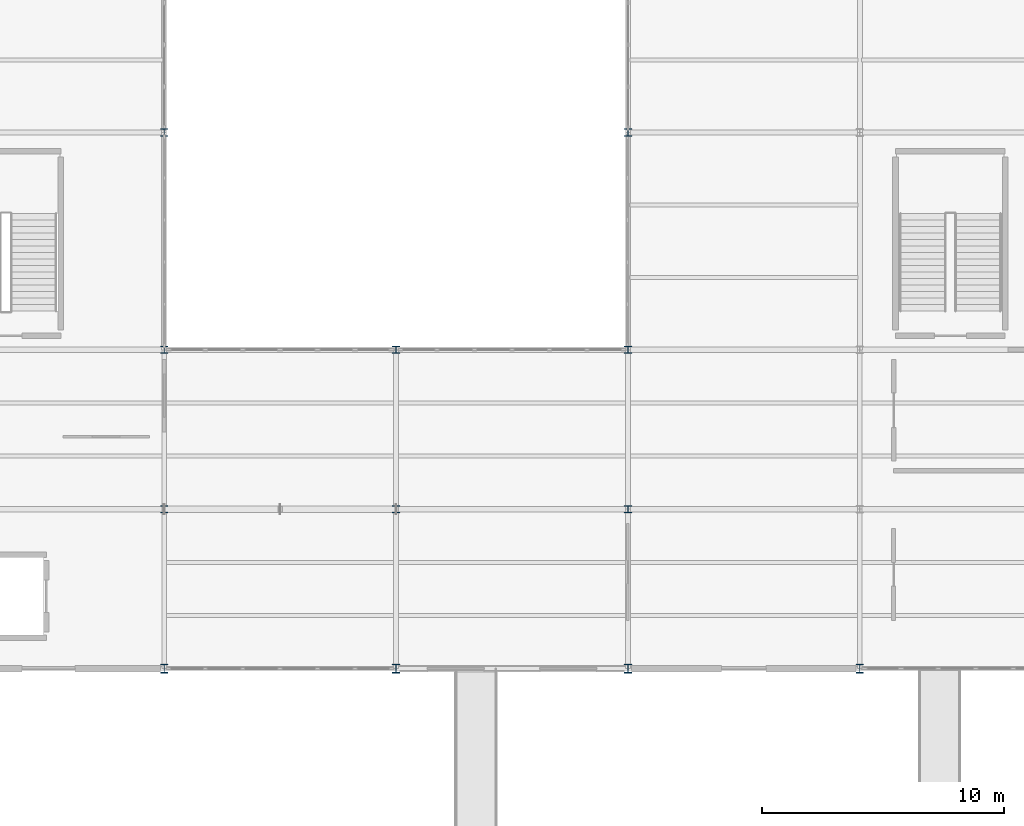
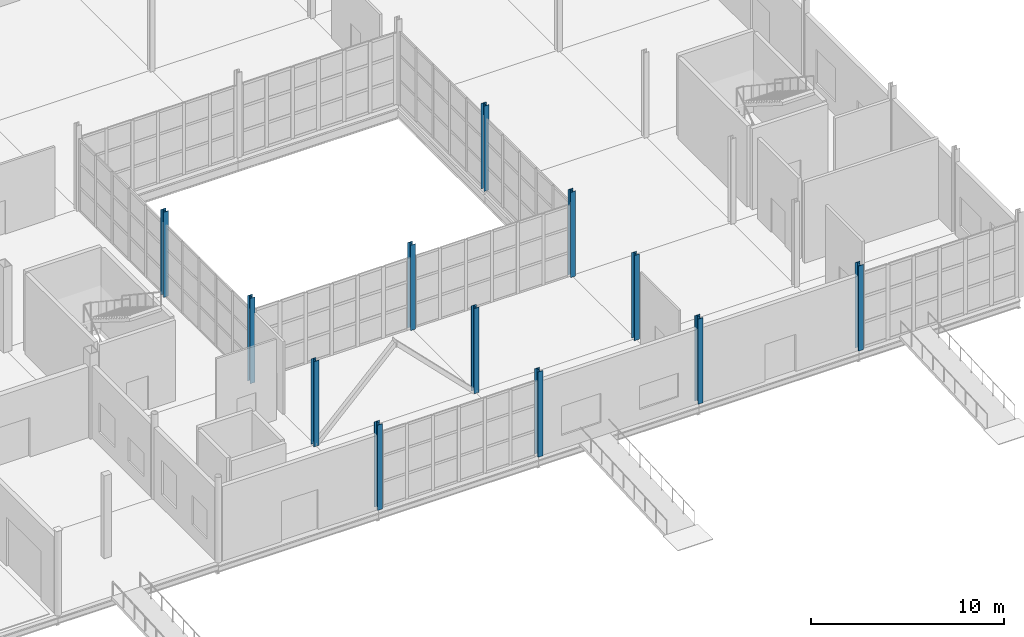
# One storey, part 16 of 85: 12 columns.
"""IFC4 building model written with IfcOpenShell, lengths in metres."""

from ifc_helpers import new_model, si_unit, direction, frame, origin, origin_2d, place, context, subcontext, project, spatial, i_section, extrude, material, material_profile, profile_set, type_object, element, save


model = new_model("IFC4")

# Units and contexts
model_context = context("Model", 3, precision=1e-05, world=origin(), true_north=direction((0.0, 1.0)))
body_context = subcontext(model_context, "Body", "Model", "MODEL_VIEW")
ifc_project = project(units=[si_unit("LENGTHUNIT", "METRE"), si_unit("AREAUNIT", "SQUARE_METRE"), si_unit("VOLUMEUNIT", "CUBIC_METRE"), si_unit("PLANEANGLEUNIT", "RADIAN"), si_unit("MASSUNIT", "GRAM", prefix="KILO")], contexts=[model_context])

# Site, building, storey
site_placement = place(None, origin())
site = spatial("IfcSite", under=ifc_project, at=site_placement, CompositionType="ELEMENT")
building_placement = place(site_placement, origin())
building = spatial("IfcBuilding", under=site, at=building_placement, Name="Zarnetskaya Central Station", CompositionType="ELEMENT")
storey_placement = place(building_placement, origin())
storey = spatial("IfcBuildingStorey", under=building, at=storey_placement, Name="L00", CompositionType="ELEMENT", Elevation=0.0)

# Columns
ifc_material = material(Name="Steel S355", Category="steel")
ifc_material_profile_1 = material_profile(ifc_material, i_section(OverallWidth=0.300048828125, OverallDepth=0.360107421875, WebThickness=0.012451171875, FlangeThickness=0.0224609375, FilletRadius=0.027099609375, at=origin_2d()), Name="HEB 360")
ifc_profile_set_1 = profile_set([ifc_material_profile_1], Name="Steel S355")
column_type_1 = type_object("IfcColumnType", Name="COL-V4-EXT", PredefinedType="COLUMN", material=ifc_profile_set_1)
for number, where, z_axis, x_axis, name in (
    (1, (134.39990234375, 0.0, 0.0), (0.0, 0.0, 1.0), (1.0, 0.0, 0.0), "Column Q1 L00"),
    (2, (144.0, 0.0, 0.0), (0.0, 0.0, 1.0), (1.0, 0.0, 0.0), "Column R1 L00"),
    (3, (153.60009765625, 0.0, 0.0), (0.0, 0.0, 1.0), (1.0, 0.0, 0.0), "Column S1 L00"),
    (4, (163.199951171875, 0.0, 0.0), (0.0, 0.0, 1.0), (1.0, 0.0, 0.0), "Column T1 L00"),
):
    element("IfcColumn", number, at=place(storey_placement, frame(where, z_axis=z_axis, x_axis=x_axis)), inside=storey, type_object=column_type_1, Name=name, PredefinedType="COLUMN", context=body_context, shape_type="SweptSolid", body=[
        extrude(i_section(OverallWidth=0.300048828125, OverallDepth=0.360107421875, WebThickness=0.012451171875, FlangeThickness=0.0224609375, FilletRadius=0.027099609375, at=origin_2d()), origin(), (0.0, 0.0, 1.0), 5.39990234375),
    ])
ifc_material_profile_2 = material_profile(ifc_material, i_section(OverallWidth=0.300048828125, OverallDepth=0.300048828125, WebThickness=0.010986328125, FlangeThickness=0.01904296875, FilletRadius=0.027099609375, at=origin_2d()), Name="HEB 300")
ifc_profile_set_2 = profile_set([ifc_material_profile_2], Name="Steel S355")
column_type_2 = type_object("IfcColumnType", Name="COL-V4-INT", PredefinedType="COLUMN", material=ifc_profile_set_2)
for number, where, z_axis, x_axis, name in (
    (5, (134.39990234375, 6.60009765625, 0.0), (0.0, 0.0, 1.0), (1.0, 0.0, 0.0), "Column Q2 L00"),
    (6, (134.39990234375, 13.199951171875, 0.0), (0.0, 0.0, 1.0), (1.0, 0.0, 0.0), "Column Q3 L00"),
    (7, (134.39990234375, 22.199951171875, 0.0), (0.0, 0.0, 1.0), (1.0, 0.0, 0.0), "Column Q4 L00"),
    (8, (144.0, 6.60009765625, 0.0), (0.0, 0.0, 1.0), (1.0, 0.0, 0.0), "Column R2 L00"),
    (9, (144.0, 13.199951171875, 0.0), (0.0, 0.0, 1.0), (1.0, 0.0, 0.0), "Column R3 L00"),
    (10, (153.60009765625, 6.60009765625, 0.0), (0.0, 0.0, 1.0), (1.0, 0.0, 0.0), "Column S2 L00"),
    (11, (153.60009765625, 13.199951171875, 0.0), (0.0, 0.0, 1.0), (1.0, 0.0, 0.0), "Column S3 L00"),
    (12, (153.60009765625, 22.199951171875, 0.0), (0.0, 0.0, 1.0), (1.0, 0.0, 0.0), "Column S4 L00"),
):
    element("IfcColumn", number, at=place(storey_placement, frame(where, z_axis=z_axis, x_axis=x_axis)), inside=storey, type_object=column_type_2, Name=name, PredefinedType="COLUMN", context=body_context, shape_type="SweptSolid", body=[
        extrude(i_section(OverallWidth=0.300048828125, OverallDepth=0.300048828125, WebThickness=0.010986328125, FlangeThickness=0.01904296875, FilletRadius=0.027099609375, at=origin_2d()), origin(), (0.0, 0.0, 1.0), 5.39990234375),
    ])

save(model, "model.ifc")
